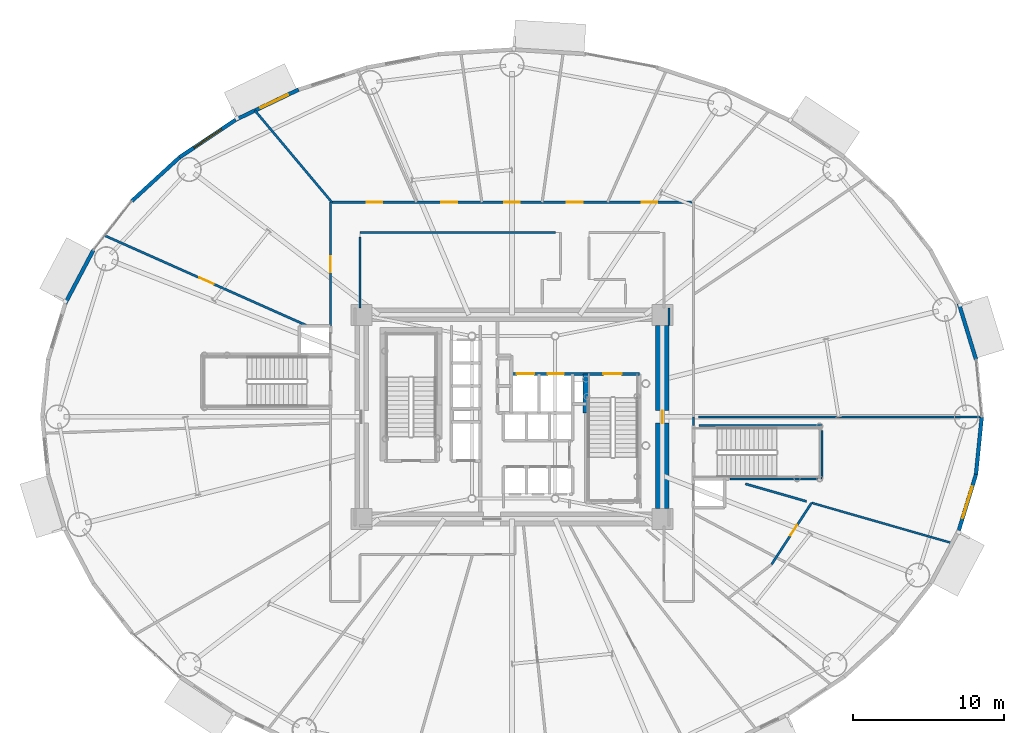
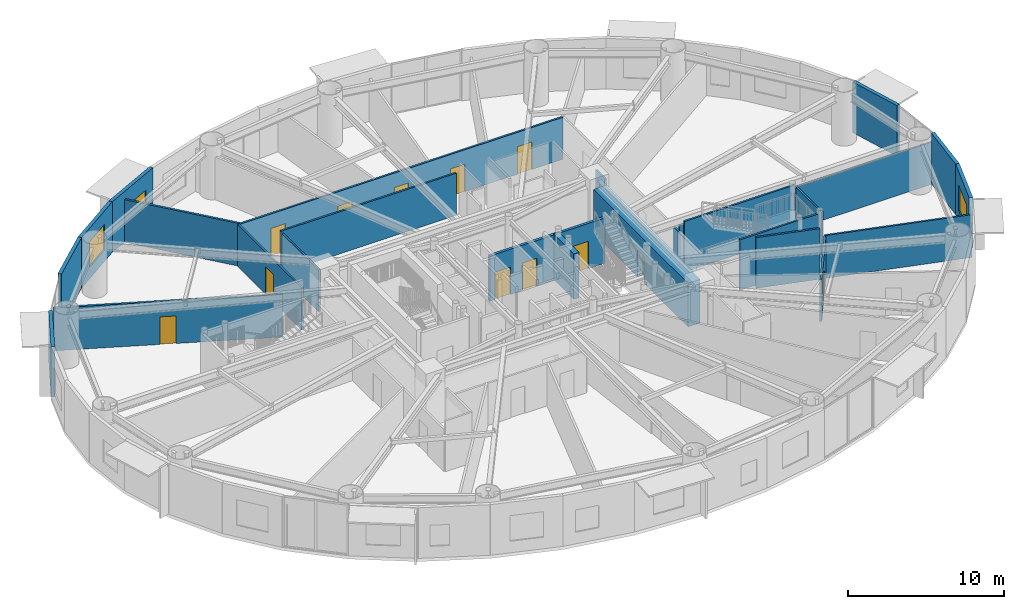
# One storey, part 19 of 32: 25 walls, 12 doors, 3 windows, 15 openings.
"""IFC4 building model written with IfcOpenShell, lengths in metres."""

from ifc_helpers import new_model, si_unit, direction, frame, frame_2d, origin, origin_2d, place, context, subcontext, project, spatial, rectangle, extrude, source, transform, mapped, material, layer, layer_set, type_object, element, fill, save


model = new_model("IFC4")

# Units and contexts
model_context = context("Model", 3, precision=1e-05, world=origin(), true_north=direction((0.0, 1.0)))
body_context = subcontext(model_context, "Body", "Model", "MODEL_VIEW")
ifc_project = project(units=[si_unit("LENGTHUNIT", "METRE"), si_unit("AREAUNIT", "SQUARE_METRE"), si_unit("VOLUMEUNIT", "CUBIC_METRE"), si_unit("PLANEANGLEUNIT", "RADIAN"), si_unit("MASSUNIT", "GRAM", prefix="KILO")], contexts=[model_context])

# Site, building, storey
site_placement = place(None, origin())
site = spatial("IfcSite", under=ifc_project, at=site_placement, CompositionType="ELEMENT")
building_placement = place(site_placement, origin())
building = spatial("IfcBuilding", under=site, at=building_placement, Name="Linh Dai School and Residence Tower", CompositionType="ELEMENT")
storey_placement = place(building_placement, frame((0.0, 0.0, 53.39990234375)))
storey = spatial("IfcBuildingStorey", under=building, at=storey_placement, Name="L12", CompositionType="ELEMENT", Elevation=53.39990234375)

# Wall
ifc_material_1 = material(Name="Precast Concrete B45 (C35/45)", Category="concrete")
ifc_layer_1 = layer(ifc_material_1, 0.25)
ifc_layer_set_1 = layer_set([ifc_layer_1], Name="Precast Concrete B45 (C35/45)")
wall_type_1 = type_object("IfcWallType", Name="EW-TC-250", PredefinedType="SOLIDWALL", material=ifc_layer_set_1)
wall_1_placement = place(storey_placement, frame((65.5576171875, 34.50146484375, 0.0), z_axis=(0.0, 0.0, 1.0), x_axis=(0.293111631758, -0.956078224482, 0.0)))
element("IfcWall", 1, at=wall_1_placement, inside=storey, type_object=wall_type_1, Name="L12 Terracotta Exterior Wall 02", PredefinedType="SOLIDWALL", context=body_context, shape_type="SweptSolid", body=[
    extrude(rectangle(XDim=3.874755859375, YDim=0.25, at=frame_2d((1.9375, 0.0))), origin(), (0.0, 0.0, 1.0), 3.9501953125),
])

# Wall, opening, window
wall_2_placement = place(storey_placement, frame((17.722900390625, 46.65576171875, 0.0), z_axis=(0.0, 0.0, 1.0), x_axis=(0.901601503137, 0.432567601123, 0.0)))
wall_2 = element("IfcWall", 2, at=wall_2_placement, inside=storey, type_object=wall_type_1, Name="L12 Terracotta Exterior Wall 14", PredefinedType="SOLIDWALL", context=body_context, shape_type="SweptSolid", body=[
    extrude(rectangle(XDim=4.61279296875, YDim=0.25, at=frame_2d((2.306396484375, 0.0))), origin(), (0.0, 0.0, 1.0), 3.9501953125),
])
opening_1_placement = place(wall_2_placement, frame((1.83349609375, 0.0, 0.89990234375)))
opening_1 = element("IfcOpeningElement", 3, at=opening_1_placement, cuts=wall_2, Name="Opening W1", PredefinedType="OPENING", context=body_context, shape_type="SweptSolid", body=[
    extrude(rectangle(XDim=2.0, YDim=1.75, at=origin_2d()), frame((1.0, 0.135009765625, 0.875), z_axis=(0.0, -1.0, 0.0), x_axis=(1.0, 0.0, 0.0)), (0.0, 0.0, 1.0), 0.27001953125),
])
ifc_material_2 = material(Name="Double Low-E Insulated Glazing", Category="glass")
window_type_1 = type_object("IfcWindowType", Name="WN-RES-2000x1750", PartitioningType="DOUBLE_PANEL_VERTICAL", PredefinedType="WINDOW", material=ifc_material_2)
shared_shape_1 = source(origin(), body_context, "Body", "SweptSolid", [
    extrude(rectangle(XDim=2.0, YDim=1.75, at=origin_2d()), frame((1.0, 0.030029296875, 0.875), z_axis=(0.0, -1.0, 0.0), x_axis=(1.0, 0.0, 0.0)), (0.0, 0.0, 1.0), 0.06005859375),
])
window_1_placement = place(opening_1_placement, origin())
window_1 = element("IfcWindow", 4, at=window_1_placement, inside=storey, type_object=window_type_1, Name="L12 Exterior Window 14.1", OverallHeight=1.75, OverallWidth=2.0, PartitioningType="DOUBLE_PANEL_VERTICAL", PredefinedType="WINDOW", context=body_context, shape_type="MappedRepresentation", body=[
    mapped(shared_shape_1, transform((0.0, 0.0, 0.0), x_axis=(1.0, 0.0, 0.0), y_axis=(0.0, 1.0, 0.0), z_axis=(0.0, 0.0, 1.0), scale=1.0)),
])
fill(opening_1, window_1)

wall_3_placement = place(storey_placement, frame((14.015380859375, 44.17626953125, 0.0), z_axis=(0.0, 0.0, 1.0), x_axis=(0.831240982525, 0.555912249343, 0.0)))
wall_3 = element("IfcWall", 5, at=wall_3_placement, inside=storey, type_object=wall_type_1, Name="L12 Terracotta Exterior Wall 15", PredefinedType="SOLIDWALL", context=body_context, shape_type="SweptSolid", body=[
    extrude(rectangle(XDim=4.460205078125, YDim=0.25, at=frame_2d((2.22998046875, 0.0))), origin(), (0.0, 0.0, 1.0), 3.9501953125),
])
opening_2_placement = place(wall_3_placement, frame((1.13037109375, 0.0, 0.89990234375)))
opening_2 = element("IfcOpeningElement", 6, at=opening_2_placement, cuts=wall_3, Name="Opening W4", PredefinedType="OPENING", context=body_context, shape_type="SweptSolid", body=[
    extrude(rectangle(XDim=2.199951171875, YDim=2.0, at=origin_2d()), frame((1.10009765625, 0.135009765625, 1.0), z_axis=(0.0, -1.0, 0.0), x_axis=(1.0, 0.0, 0.0)), (0.0, 0.0, 1.0), 0.27001953125),
])
ifc_material_3 = material(Name="Acoustic Laminated Low-E Glazing", Category="glass")
window_type_2 = type_object("IfcWindowType", Name="WN-SCH-2200x2000", PartitioningType="TRIPLE_PANEL_VERTICAL", PredefinedType="WINDOW", material=ifc_material_3)
shared_shape_2 = source(origin(), body_context, "Body", "SweptSolid", [
    extrude(rectangle(XDim=2.199951171875, YDim=2.0, at=origin_2d()), frame((1.10009765625, 0.030029296875, 1.0), z_axis=(0.0, -1.0, 0.0), x_axis=(1.0, 0.0, 0.0)), (0.0, 0.0, 1.0), 0.06005859375),
])
window_2_placement = place(opening_2_placement, origin())
window_2 = element("IfcWindow", 7, at=window_2_placement, inside=storey, type_object=window_type_2, Name="L12 Exterior Window 15.1", OverallHeight=2.0, OverallWidth=2.199951171875, PartitioningType="TRIPLE_PANEL_VERTICAL", PredefinedType="WINDOW", context=body_context, shape_type="MappedRepresentation", body=[
    mapped(shared_shape_2, transform((0.0, 0.0, 0.0), x_axis=(1.0, 0.0, 0.0), y_axis=(0.0, 1.0, 0.0), z_axis=(0.0, 0.0, 1.0), scale=1.0)),
])
fill(opening_2, window_2)

# Walls
wall_4_placement = place(storey_placement, frame((10.850341796875, 41.274658203125, 0.0), z_axis=(0.0, 0.0, 1.0), x_axis=(0.737116376281, 0.67576582321, 0.0)))
element("IfcWall", 8, at=wall_4_placement, inside=storey, type_object=wall_type_1, Name="L12 Terracotta Exterior Wall 16", PredefinedType="SOLIDWALL", context=body_context, shape_type="SweptSolid", body=[
    extrude(rectangle(XDim=4.293701171875, YDim=0.25, at=frame_2d((2.14697265625, 0.0))), origin(), (0.0, 0.0, 1.0), 3.9501953125),
])
wall_5_placement = place(storey_placement, frame((6.4423828125, 34.50146484375, 0.0), z_axis=(0.0, 0.0, 1.0), x_axis=(0.467662443071, 0.883907144072, 0.0)))
element("IfcWall", 9, at=wall_5_placement, inside=storey, type_object=wall_type_1, Name="L12 Terracotta Exterior Wall 18", PredefinedType="SOLIDWALL", context=body_context, shape_type="SweptSolid", body=[
    extrude(rectangle(XDim=3.983642578125, YDim=0.25, at=frame_2d((1.99169921875, 0.0))), origin(), (0.0, 0.0, 1.0), 3.9501953125),
])

# Wall, opening, window
wall_6_placement = place(storey_placement, frame((66.693359375, 23.203125, 0.0), z_axis=(0.0, 0.0, 1.0), x_axis=(-0.293111631758, -0.956078224482, 0.0)))
wall_6 = element("IfcWall", 10, at=wall_6_placement, inside=storey, type_object=wall_type_1, Name="L12 Terracotta Exterior Wall 39", PredefinedType="SOLIDWALL", context=body_context, shape_type="SweptSolid", body=[
    extrude(rectangle(XDim=3.874755859375, YDim=0.25, at=frame_2d((1.9375, 0.0))), origin(), (0.0, 0.0, 1.0), 3.9501953125),
])
opening_3_placement = place(wall_6_placement, frame((0.83740234375, 0.0, 0.89990234375)))
opening_3 = element("IfcOpeningElement", 11, at=opening_3_placement, cuts=wall_6, Name="Opening W4", PredefinedType="OPENING", context=body_context, shape_type="SweptSolid", body=[
    extrude(rectangle(XDim=2.199951171875, YDim=2.0, at=origin_2d()), frame((1.10009765625, 0.135009765625, 1.0), z_axis=(0.0, -1.0, 0.0), x_axis=(1.0, 0.0, 0.0)), (0.0, 0.0, 1.0), 0.27001953125),
])
window_3_placement = place(opening_3_placement, origin())
window_3 = element("IfcWindow", 12, at=window_3_placement, inside=storey, type_object=window_type_2, Name="L12 Exterior Window 39.1", OverallHeight=2.0, OverallWidth=2.199951171875, PartitioningType="TRIPLE_PANEL_VERTICAL", PredefinedType="WINDOW", context=body_context, shape_type="MappedRepresentation", body=[
    mapped(shared_shape_2, transform((0.0, 0.0, 0.0), x_axis=(1.0, 0.0, 0.0), y_axis=(0.0, 1.0, 0.0), z_axis=(0.0, 0.0, 1.0), scale=1.0)),
])
fill(opening_3, window_3)

# Wall
wall_7_placement = place(storey_placement, frame((67.074951171875, 27.0, 0.0), z_axis=(0.0, 0.0, 1.0), x_axis=(-0.099997795174, -0.994987658698, 0.0)))
element("IfcWall", 13, at=wall_7_placement, inside=storey, type_object=wall_type_1, Name="L12 Terracotta Exterior Wall 40", PredefinedType="SOLIDWALL", context=body_context, shape_type="SweptSolid", body=[
    extrude(rectangle(XDim=3.81591796875, YDim=0.25, at=frame_2d((1.907958984375, 0.0))), origin(), (0.0, 0.0, 1.0), 3.9501953125),
])

# Wall, opening, door
ifc_material_4 = material(Name="Autoclaved Aerated Concrete Blockwork", Category="masonry")
ifc_layer_2 = layer(ifc_material_4, 0.135009765625)
ifc_layer_set_2 = layer_set([ifc_layer_2], Name="Autoclaved Aerated Concrete Blockwork")
wall_type_2 = type_object("IfcWallType", Name="IW-CORR-135-EI90", PredefinedType="PARTITIONING", material=ifc_layer_set_2)
wall_8_placement = place(storey_placement, frame((24.0, 33.010009765625, 0.0), z_axis=(0.0, 0.0, 1.0), x_axis=(0.0, 1.0, 0.0)))
wall_8 = element("IfcWall", 14, at=wall_8_placement, inside=storey, type_object=wall_type_2, Name="L12 Interior Partition Wall 014", PredefinedType="PARTITIONING", context=body_context, shape_type="SweptSolid", body=[
    extrude(rectangle(XDim=8.18994140625, YDim=0.135009765625, at=frame_2d((4.094970703125, 0.0))), origin(), (0.0, 0.0, 1.0), 3.28515625),
])
opening_4_placement = place(wall_8_placement, frame((3.570068359375, 0.0, 0.0)))
opening_4 = element("IfcOpeningElement", 15, at=opening_4_placement, cuts=wall_8, Name="Opening D04", PredefinedType="OPENING", context=body_context, shape_type="SweptSolid", body=[
    extrude(rectangle(XDim=1.050048828125, YDim=2.14990234375, at=origin_2d()), frame((0.52490234375, 0.07763671875, 1.074951171875), z_axis=(0.0, -1.0, 0.0), x_axis=(1.0, 0.0, 0.0)), (0.0, 0.0, 1.0), 0.155029296875),
])
ifc_material_5 = material(Name="Acoustic Vision-Panel Timber Classroom Door", Category="wood")
door_type_1 = type_object("IfcDoorType", Name="DR-SCH-1050x2150-FD60S", OperationType="NOTDEFINED", PredefinedType="DOOR", material=ifc_material_5)
shared_shape_3 = source(origin(), body_context, "Body", "SweptSolid", [
    extrude(rectangle(XDim=1.050048828125, YDim=2.14990234375, at=origin_2d()), frame((0.52490234375, 0.02490234375, 1.074951171875), z_axis=(0.0, -1.0, 0.0), x_axis=(1.0, 0.0, 0.0)), (0.0, 0.0, 1.0), 0.050048828125),
])
door_1_placement = place(opening_4_placement, origin())
door_1 = element("IfcDoor", 16, at=door_1_placement, inside=storey, type_object=door_type_1, Name="L12 Computer Science Lab 1 Door", OperationType="SINGLE_SWING_RIGHT", OverallHeight=2.14990234375, OverallWidth=1.050048828125, PredefinedType="DOOR", context=body_context, shape_type="MappedRepresentation", body=[
    mapped(shared_shape_3, transform((0.0, 0.0, 0.0), x_axis=(1.0, 0.0, 0.0), y_axis=(0.0, 1.0, 0.0), z_axis=(0.0, 0.0, 1.0), scale=1.0)),
])
fill(opening_4, door_1)

# Wall, openings, doors
wall_9_placement = place(storey_placement, frame((24.084716796875, 41.199951171875, 0.0), z_axis=(0.0, 0.0, 1.0), x_axis=(1.0, 0.0, 0.0)))
wall_9 = element("IfcWall", 17, at=wall_9_placement, inside=storey, type_object=wall_type_2, Name="L12 Interior Partition Wall 015", PredefinedType="PARTITIONING", context=body_context, shape_type="SweptSolid", body=[
    extrude(rectangle(XDim=23.83056640625, YDim=0.135009765625, at=frame_2d((11.915283203125, 0.0))), origin(), (0.0, 0.0, 1.0), 3.28515625),
])
opening_5_placement = place(wall_9_placement, frame((20.489013671875, 0.0, 0.0)))
opening_5 = element("IfcOpeningElement", 18, at=opening_5_placement, cuts=wall_9, Name="Opening D04", PredefinedType="OPENING", context=body_context, shape_type="SweptSolid", body=[
    extrude(rectangle(XDim=1.050048828125, YDim=2.14990234375, at=origin_2d()), frame((0.52490234375, 0.07763671875, 1.074951171875), z_axis=(0.0, -1.0, 0.0), x_axis=(1.0, 0.0, 0.0)), (0.0, 0.0, 1.0), 0.155029296875),
])
opening_6_placement = place(wall_9_placement, frame((15.54931640625, 0.0, 0.0)))
opening_6 = element("IfcOpeningElement", 19, at=opening_6_placement, cuts=wall_9, Name="Opening D04", PredefinedType="OPENING", context=body_context, shape_type="SweptSolid", body=[
    extrude(rectangle(XDim=1.050048828125, YDim=2.14990234375, at=origin_2d()), frame((0.52490234375, 0.07763671875, 1.074951171875), z_axis=(0.0, -1.0, 0.0), x_axis=(1.0, 0.0, 0.0)), (0.0, 0.0, 1.0), 0.155029296875),
])
opening_7_placement = place(wall_9_placement, frame((11.39013671875, 0.0, 0.0)))
opening_7 = element("IfcOpeningElement", 20, at=opening_7_placement, cuts=wall_9, Name="Opening D04", PredefinedType="OPENING", context=body_context, shape_type="SweptSolid", body=[
    extrude(rectangle(XDim=1.050048828125, YDim=2.14990234375, at=origin_2d()), frame((0.52490234375, 0.07763671875, 1.074951171875), z_axis=(0.0, -1.0, 0.0), x_axis=(1.0, 0.0, 0.0)), (0.0, 0.0, 1.0), 0.155029296875),
])
opening_8_placement = place(wall_9_placement, frame((7.231201171875, 0.0, 0.0)))
opening_8 = element("IfcOpeningElement", 21, at=opening_8_placement, cuts=wall_9, Name="Opening D04", PredefinedType="OPENING", context=body_context, shape_type="SweptSolid", body=[
    extrude(rectangle(XDim=1.050048828125, YDim=2.14990234375, at=origin_2d()), frame((0.52490234375, 0.07763671875, 1.074951171875), z_axis=(0.0, -1.0, 0.0), x_axis=(1.0, 0.0, 0.0)), (0.0, 0.0, 1.0), 0.155029296875),
])
opening_9_placement = place(wall_9_placement, frame((2.29150390625, 0.0, 0.0)))
opening_9 = element("IfcOpeningElement", 22, at=opening_9_placement, cuts=wall_9, Name="Opening D04", PredefinedType="OPENING", context=body_context, shape_type="SweptSolid", body=[
    extrude(rectangle(XDim=1.050048828125, YDim=2.14990234375, at=origin_2d()), frame((0.52490234375, 0.07763671875, 1.074951171875), z_axis=(0.0, -1.0, 0.0), x_axis=(1.0, 0.0, 0.0)), (0.0, 0.0, 1.0), 0.155029296875),
])
door_2_placement = place(opening_5_placement, origin())
door_2 = element("IfcDoor", 23, at=door_2_placement, inside=storey, type_object=door_type_1, Name="L12 Sixth-Form Seminar Room 2 Door", OperationType="SINGLE_SWING_LEFT", OverallHeight=2.14990234375, OverallWidth=1.050048828125, PredefinedType="DOOR", context=body_context, shape_type="MappedRepresentation", body=[
    mapped(shared_shape_3, transform((0.0, 0.0, 0.0), x_axis=(1.0, 0.0, 0.0), y_axis=(0.0, 1.0, 0.0), z_axis=(0.0, 0.0, 1.0), scale=1.0)),
])
fill(opening_5, door_2)
door_3_placement = place(opening_6_placement, origin())
door_3 = element("IfcDoor", 24, at=door_3_placement, inside=storey, type_object=door_type_1, Name="L12 Sixth-Form Seminar Room 3 Door", OperationType="SINGLE_SWING_RIGHT", OverallHeight=2.14990234375, OverallWidth=1.050048828125, PredefinedType="DOOR", context=body_context, shape_type="MappedRepresentation", body=[
    mapped(shared_shape_3, transform((0.0, 0.0, 0.0), x_axis=(1.0, 0.0, 0.0), y_axis=(0.0, 1.0, 0.0), z_axis=(0.0, 0.0, 1.0), scale=1.0)),
])
fill(opening_6, door_3)
door_4_placement = place(opening_7_placement, origin())
door_4 = element("IfcDoor", 25, at=door_4_placement, inside=storey, type_object=door_type_1, Name="L12 Sixth-Form Seminar Room 4 Door", OperationType="SINGLE_SWING_LEFT", OverallHeight=2.14990234375, OverallWidth=1.050048828125, PredefinedType="DOOR", context=body_context, shape_type="MappedRepresentation", body=[
    mapped(shared_shape_3, transform((0.0, 0.0, 0.0), x_axis=(1.0, 0.0, 0.0), y_axis=(0.0, 1.0, 0.0), z_axis=(0.0, 0.0, 1.0), scale=1.0)),
])
fill(opening_7, door_4)
door_5_placement = place(opening_8_placement, origin())
door_5 = element("IfcDoor", 26, at=door_5_placement, inside=storey, type_object=door_type_1, Name="L12 Sixth-Form Seminar Room 5 Door", OperationType="SINGLE_SWING_RIGHT", OverallHeight=2.14990234375, OverallWidth=1.050048828125, PredefinedType="DOOR", context=body_context, shape_type="MappedRepresentation", body=[
    mapped(shared_shape_3, transform((0.0, 0.0, 0.0), x_axis=(1.0, 0.0, 0.0), y_axis=(0.0, 1.0, 0.0), z_axis=(0.0, 0.0, 1.0), scale=1.0)),
])
fill(opening_8, door_5)
door_6_placement = place(opening_9_placement, origin())
door_6 = element("IfcDoor", 27, at=door_6_placement, inside=storey, type_object=door_type_1, Name="L12 Sixth-Form Seminar Room 6 Door", OperationType="SINGLE_SWING_LEFT", OverallHeight=2.14990234375, OverallWidth=1.050048828125, PredefinedType="DOOR", context=body_context, shape_type="MappedRepresentation", body=[
    mapped(shared_shape_3, transform((0.0, 0.0, 0.0), x_axis=(1.0, 0.0, 0.0), y_axis=(0.0, 1.0, 0.0), z_axis=(0.0, 0.0, 1.0), scale=1.0)),
])
fill(opening_9, door_6)

# Walls
wall_10_placement = place(storey_placement, frame((48.360107421875, 26.419921875, 0.0), z_axis=(0.0, 0.0, 1.0), x_axis=(1.0, 0.0, 0.0)))
element("IfcWall", 28, at=wall_10_placement, inside=storey, type_object=wall_type_2, Name="L12 Interior Partition Wall 085", PredefinedType="PARTITIONING", context=body_context, shape_type="SweptSolid", body=[
    extrude(rectangle(XDim=8.159912109375, YDim=0.135009765625, at=frame_2d((4.080078125, 0.0))), origin(), (0.0, 0.0, 1.0), 3.9501953125),
])
wall_11_placement = place(storey_placement, frame((56.52001953125, 26.112548828125, 0.0), z_axis=(0.0, 0.0, 1.0), x_axis=(0.0, -1.0, 0.0)))
element("IfcWall", 29, at=wall_11_placement, inside=storey, type_object=wall_type_2, Name="L12 Interior Partition Wall 086", PredefinedType="PARTITIONING", context=body_context, shape_type="SweptSolid", body=[
    extrude(rectangle(XDim=3.232666015625, YDim=0.135009765625, at=frame_2d((1.6162109375, 0.0))), origin(), (0.0, 0.0, 1.0), 3.9501953125),
])
wall_12_placement = place(storey_placement, frame((56.21240234375, 22.8798828125, 0.0), z_axis=(0.0, 0.0, 1.0), x_axis=(-1.0, 0.0, 0.0)))
element("IfcWall", 30, at=wall_12_placement, inside=storey, type_object=wall_type_2, Name="L12 Interior Partition Wall 087", PredefinedType="PARTITIONING", context=body_context, shape_type="SweptSolid", body=[
    extrude(rectangle(XDim=5.802490234375, YDim=0.135009765625, at=frame_2d((2.9013671875, 0.0))), origin(), (0.0, 0.0, 1.0), 3.9501953125),
])
wall_13_placement = place(storey_placement, frame((48.0, 26.989990234375, 0.0), z_axis=(0.0, 0.0, 1.0), x_axis=(0.0, -1.0, 0.0)))
element("IfcWall", 31, at=wall_13_placement, inside=storey, type_object=wall_type_2, Name="L12 Interior Partition Wall 088", PredefinedType="PARTITIONING", context=body_context, shape_type="SweptSolid", body=[
    extrude(rectangle(XDim=0.56005859375, YDim=0.135009765625, at=frame_2d((0.280029296875, 0.0))), origin(), (0.0, 0.0, 1.0), 3.28515625),
])
wall_14_placement = place(storey_placement, frame((46.39990234375, 33.06005859375, 0.0), z_axis=(0.0, 0.0, 1.0), x_axis=(0.0, 1.0, 0.0)))
element("IfcWall", 32, at=wall_14_placement, inside=storey, type_object=wall_type_2, Name="L12 Interior Partition Wall 091", PredefinedType="PARTITIONING", context=body_context, shape_type="SweptSolid", body=[
    extrude(rectangle(XDim=1.139892578125, YDim=0.135009765625, at=frame_2d((0.56982421875, 0.0))), origin(), (0.0, 0.0, 1.0), 3.9501953125),
])
wall_15_placement = place(storey_placement, frame((38.892578125, 39.199951171875, 0.0), z_axis=(0.0, 0.0, 1.0), x_axis=(-1.0, 0.0, 0.0)))
element("IfcWall", 33, at=wall_15_placement, inside=storey, type_object=wall_type_2, Name="L12 Interior Partition Wall 100", PredefinedType="PARTITIONING", context=body_context, shape_type="SweptSolid", body=[
    extrude(rectangle(XDim=12.942626953125, YDim=0.135009765625, at=frame_2d((6.47119140625, 0.0))), origin(), (0.0, 0.0, 1.0), 3.28515625),
])
wall_16_placement = place(storey_placement, frame((25.949951171875, 38.892578125, 0.0), z_axis=(0.0, 0.0, 1.0), x_axis=(0.0, -1.0, 0.0)))
element("IfcWall", 34, at=wall_16_placement, inside=storey, type_object=wall_type_2, Name="L12 Interior Partition Wall 101", PredefinedType="PARTITIONING", context=body_context, shape_type="SweptSolid", body=[
    extrude(rectangle(XDim=4.692626953125, YDim=0.135009765625, at=frame_2d((2.34619140625, 0.0))), origin(), (0.0, 0.0, 1.0), 3.28515625),
])
wall_17_placement = place(storey_placement, frame((67.080078125, 27.0, 0.0), z_axis=(0.0, 0.0, 1.0), x_axis=(-1.0, 0.0, 0.0)))
element("IfcWall", 35, at=wall_17_placement, inside=storey, type_object=wall_type_2, Name="L12 Interior Partition Wall 105", PredefinedType="PARTITIONING", context=body_context, shape_type="SweptSolid", body=[
    extrude(rectangle(XDim=18.752685546875, YDim=0.135009765625, at=frame_2d((9.37646484375, 0.0))), origin(), (0.0, 0.0, 1.0), 3.28515625),
])
wall_18_placement = place(storey_placement, frame((55.820068359375, 21.316650390625, 0.0), z_axis=(0.0, 0.0, 1.0), x_axis=(0.961261497428, -0.275638048104, 0.0)))
element("IfcWall", 36, at=wall_18_placement, inside=storey, type_object=wall_type_2, Name="L12 Interior Partition Wall 108", PredefinedType="PARTITIONING", context=body_context, shape_type="SweptSolid", body=[
    extrude(rectangle(XDim=9.66943359375, YDim=0.135009765625, at=frame_2d((4.834716796875, 0.0))), origin(), (0.0, 0.0, 1.0), 3.335205078125),
])

# Wall, opening, door
ifc_layer_3 = layer(ifc_material_4, 0.14990234375)
ifc_layer_set_3 = layer_set([ifc_layer_3], Name="Autoclaved Aerated Concrete Blockwork")
wall_type_3 = type_object("IfcWallType", Name="IW-SCH-150-EI60", PredefinedType="PARTITIONING", material=ifc_layer_set_3)
wall_19_placement = place(storey_placement, frame((9.0595703125, 38.99462890625, 0.0), z_axis=(0.0, 0.0, 1.0), x_axis=(0.913544945328, -0.406737793751, 0.0)))
wall_19 = element("IfcWall", 37, at=wall_19_placement, inside=storey, type_object=wall_type_3, Name="L12 Interior Partition Wall 002", PredefinedType="PARTITIONING", context=body_context, shape_type="SweptSolid", body=[
    extrude(rectangle(XDim=14.73828125, YDim=0.14990234375, at=frame_2d((7.369140625, 0.0))), origin(), (0.0, 0.0, 1.0), 3.335205078125),
])
opening_10_placement = place(wall_19_placement, frame((6.84423828125, 0.0, 0.0)))
opening_10 = element("IfcOpeningElement", 38, at=opening_10_placement, cuts=wall_19, Name="Opening D04", PredefinedType="OPENING", context=body_context, shape_type="SweptSolid", body=[
    extrude(rectangle(XDim=1.050048828125, YDim=2.14990234375, at=origin_2d()), frame((0.52490234375, 0.0849609375, 1.074951171875), z_axis=(0.0, -1.0, 0.0), x_axis=(1.0, 0.0, 0.0)), (0.0, 0.0, 1.0), 0.169921875),
])
door_7_placement = place(opening_10_placement, origin())
door_7 = element("IfcDoor", 39, at=door_7_placement, inside=storey, type_object=door_type_1, Name="L12 Computer Science Lab 2 Door", OperationType="SINGLE_SWING_LEFT", OverallHeight=2.14990234375, OverallWidth=1.050048828125, PredefinedType="DOOR", context=body_context, shape_type="MappedRepresentation", body=[
    mapped(shared_shape_3, transform((0.0, 0.0, 0.0), x_axis=(1.0, 0.0, 0.0), y_axis=(0.0, 1.0, 0.0), z_axis=(0.0, 0.0, 1.0), scale=1.0)),
])
fill(opening_10, door_7)

# Wall
wall_20_placement = place(storey_placement, frame((18.991455078125, 47.269775390625, 0.0), z_axis=(0.0, 0.0, 1.0), x_axis=(0.642793123836, -0.766039816164, 0.0)))
element("IfcWall", 40, at=wall_20_placement, inside=storey, type_object=wall_type_3, Name="L12 Interior Partition Wall 007", PredefinedType="PARTITIONING", context=body_context, shape_type="SweptSolid", body=[
    extrude(rectangle(XDim=7.923583984375, YDim=0.14990234375, at=frame_2d((3.9619140625, 0.0))), origin(), (0.0, 0.0, 1.0), 3.335205078125),
])

# Wall, opening, door
wall_21_placement = place(storey_placement, frame((53.1640625, 17.235595703125, 0.0), z_axis=(0.0, 0.0, 1.0), x_axis=(0.545409482698, 0.838169729937, 0.0)))
wall_21 = element("IfcWall", 41, at=wall_21_placement, inside=storey, type_object=wall_type_3, Name="L12 Interior Partition Wall 074", PredefinedType="PARTITIONING", context=body_context, shape_type="SweptSolid", body=[
    extrude(rectangle(XDim=4.869384765625, YDim=0.14990234375, at=frame_2d((2.4345703125, 0.0))), origin(), (0.0, 0.0, 1.0), 3.28515625),
])
opening_11_placement = place(wall_21_placement, frame((2.28759765625, 0.0, 0.0)))
opening_11 = element("IfcOpeningElement", 42, at=opening_11_placement, cuts=wall_21, Name="Opening D06", PredefinedType="OPENING", context=body_context, shape_type="SweptSolid", body=[
    extrude(rectangle(XDim=0.820068359375, YDim=2.10009765625, at=origin_2d()), frame((0.41015625, 0.0849609375, 1.050048828125), z_axis=(0.0, -1.0, 0.0), x_axis=(1.0, 0.0, 0.0)), (0.0, 0.0, 1.0), 0.169921875),
])
ifc_material_6 = material(Name="Moisture-Resistant Timber Bathroom Door", Category="wood")
door_type_2 = type_object("IfcDoorType", Name="DR-WET-820x2100", OperationType="NOTDEFINED", PredefinedType="DOOR", material=ifc_material_6)
shared_shape_4 = source(origin(), body_context, "Body", "SweptSolid", [
    extrude(rectangle(XDim=0.820068359375, YDim=2.10009765625, at=origin_2d()), frame((0.41015625, 0.02490234375, 1.050048828125), z_axis=(0.0, -1.0, 0.0), x_axis=(1.0, 0.0, 0.0)), (0.0, 0.0, 1.0), 0.050048828125),
])
door_8_placement = place(opening_11_placement, origin())
door_8 = element("IfcDoor", 43, at=door_8_placement, inside=storey, type_object=door_type_2, Name="L12 Sixth-Form Female WC Door", OperationType="SINGLE_SWING_RIGHT", OverallHeight=2.10009765625, OverallWidth=0.820068359375, PredefinedType="DOOR", context=body_context, shape_type="MappedRepresentation", body=[
    mapped(shared_shape_4, transform((0.0, 0.0, 0.0), x_axis=(1.0, 0.0, 0.0), y_axis=(0.0, 1.0, 0.0), z_axis=(0.0, 0.0, 1.0), scale=1.0)),
])
fill(opening_11, door_8)

# Wall
wall_22_placement = place(storey_placement, frame((51.4404296875, 22.572509765625, 0.0), z_axis=(0.0, 0.0, 1.0), x_axis=(0.961265031159, -0.275625724255, 0.0)))
element("IfcWall", 44, at=wall_22_placement, inside=storey, type_object=wall_type_3, Name="L12 Interior Partition Wall 107", PredefinedType="PARTITIONING", context=body_context, shape_type="SweptSolid", body=[
    extrude(rectangle(XDim=4.20556640625, YDim=0.14990234375, at=frame_2d((2.102783203125, 0.0))), origin(), (0.0, 0.0, 1.0), 3.9501953125),
])

# Wall, openings, doors
ifc_material_7 = material(Name="Concrete B45 (C35/45)", Category="concrete")
ifc_layer_4 = layer(ifc_material_7, 0.199951171875)
ifc_layer_set_4 = layer_set([ifc_layer_4], Name="Concrete B45 (C35/45)")
wall_type_4 = type_object("IfcWallType", Name="IW-SHAFT-200-EI120", PredefinedType="PARTITIONING", material=ifc_layer_set_4)
wall_23_placement = place(storey_placement, frame((35.949951171875, 29.85009765625, 0.0), z_axis=(0.0, 0.0, 1.0), x_axis=(1.0, 0.0, 0.0)))
wall_23 = element("IfcWall", 45, at=wall_23_placement, inside=storey, type_object=wall_type_4, Name="L12 Interior Partition Wall 041", PredefinedType="PARTITIONING", context=body_context, shape_type="SweptSolid", body=[
    extrude(rectangle(XDim=8.489990234375, YDim=0.199951171875, at=frame_2d((4.2451171875, 0.0))), origin(), (0.0, 0.0, 1.0), 3.53515625),
])
opening_12_placement = place(wall_23_placement, frame((6.10009765625, 0.0, 0.0)))
opening_12 = element("IfcOpeningElement", 46, at=opening_12_placement, cuts=wall_23, Name="Opening D01", PredefinedType="OPENING", context=body_context, shape_type="SweptSolid", body=[
    extrude(rectangle(XDim=1.199951171875, YDim=2.14990234375, at=origin_2d()), frame((0.60009765625, 0.10986328125, 1.074951171875), z_axis=(0.0, -1.0, 0.0), x_axis=(1.0, 0.0, 0.0)), (0.0, 0.0, 1.0), 0.219970703125),
])
opening_13_placement = place(wall_23_placement, frame((0.3701171875, 0.0, 0.0)))
opening_13 = element("IfcOpeningElement", 47, at=opening_13_placement, cuts=wall_23, Name="Opening LD-FF1", PredefinedType="OPENING", context=body_context, shape_type="SweptSolid", body=[
    extrude(rectangle(XDim=1.14990234375, YDim=2.14990234375, at=origin_2d()), frame((0.574951171875, 0.10986328125, 1.074951171875), z_axis=(0.0, -1.0, 0.0), x_axis=(1.0, 0.0, 0.0)), (0.0, 0.0, 1.0), 0.219970703125),
])
opening_14_placement = place(wall_23_placement, frame((2.425048828125, 0.0, 0.0)))
opening_14 = element("IfcOpeningElement", 48, at=opening_14_placement, cuts=wall_23, Name="Opening LD-SV1", PredefinedType="OPENING", context=body_context, shape_type="SweptSolid", body=[
    extrude(rectangle(XDim=1.050048828125, YDim=2.14990234375, at=origin_2d()), frame((0.52490234375, 0.10986328125, 1.074951171875), z_axis=(0.0, -1.0, 0.0), x_axis=(1.0, 0.0, 0.0)), (0.0, 0.0, 1.0), 0.219970703125),
])
ifc_material_8 = material(Name="Fire-Rated Steel Door Leaf", Category="steel")
door_type_3 = type_object("IfcDoorType", Name="DR-STAIR-1200x2150-FD90S", OperationType="NOTDEFINED", PredefinedType="DOOR", material=ifc_material_8)
shared_shape_5 = source(origin(), body_context, "Body", "SweptSolid", [
    extrude(rectangle(XDim=1.199951171875, YDim=2.14990234375, at=origin_2d()), frame((0.60009765625, 0.02490234375, 1.074951171875), z_axis=(0.0, -1.0, 0.0), x_axis=(1.0, 0.0, 0.0)), (0.0, 0.0, 1.0), 0.050048828125),
])
door_9_placement = place(opening_12_placement, origin())
door_9 = element("IfcDoor", 49, at=door_9_placement, inside=storey, type_object=door_type_3, Name="L12 Core Smokeproof Exit Stair ST2 Door", OperationType="SINGLE_SWING_LEFT", OverallHeight=2.14990234375, OverallWidth=1.199951171875, PredefinedType="DOOR", context=body_context, shape_type="MappedRepresentation", body=[
    mapped(shared_shape_5, transform((0.0, 0.0, 0.0), x_axis=(1.0, 0.0, 0.0), y_axis=(0.0, 1.0, 0.0), z_axis=(0.0, 0.0, 1.0), scale=1.0)),
])
fill(opening_12, door_9)
ifc_material_9 = material(Name="Fire-Rated Stainless Steel Firefighting Lift Door", Category="steel")
door_type_4 = type_object("IfcDoorType", Name="DR-LD-FF-1150x2150-FD120", OperationType="DOUBLE_DOOR_SLIDING", PredefinedType="USERDEFINED", material=ifc_material_9)
shared_shape_6 = source(origin(), body_context, "Body", "SweptSolid", [
    extrude(rectangle(XDim=1.14990234375, YDim=2.14990234375, at=origin_2d()), frame((0.574951171875, 0.02490234375, 1.074951171875), z_axis=(0.0, -1.0, 0.0), x_axis=(1.0, 0.0, 0.0)), (0.0, 0.0, 1.0), 0.050048828125),
])
door_10_placement = place(opening_13_placement, origin())
door_10 = element("IfcDoor", 50, at=door_10_placement, inside=storey, type_object=door_type_4, Name="L12 Lift FF1 Sliding Landing Door", ObjectType="LANDING DOOR", OperationType="DOUBLE_DOOR_SLIDING", OverallHeight=2.14990234375, OverallWidth=1.14990234375, PredefinedType="USERDEFINED", context=body_context, shape_type="MappedRepresentation", body=[
    mapped(shared_shape_6, transform((0.0, 0.0, 0.0), x_axis=(1.0, 0.0, 0.0), y_axis=(0.0, 1.0, 0.0), z_axis=(0.0, 0.0, 1.0), scale=1.0)),
])
fill(opening_13, door_10)
ifc_material_10 = material(Name="Brushed Stainless Steel Lift Landing Door", Category="steel")
door_type_5 = type_object("IfcDoorType", Name="DR-LD-PASS-1050x2150", OperationType="DOUBLE_DOOR_SLIDING", PredefinedType="USERDEFINED", material=ifc_material_10)
shared_shape_7 = source(origin(), body_context, "Body", "SweptSolid", [
    extrude(rectangle(XDim=1.050048828125, YDim=2.14990234375, at=origin_2d()), frame((0.52490234375, 0.02490234375, 1.074951171875), z_axis=(0.0, -1.0, 0.0), x_axis=(1.0, 0.0, 0.0)), (0.0, 0.0, 1.0), 0.050048828125),
])
door_11_placement = place(opening_14_placement, origin())
door_11 = element("IfcDoor", 51, at=door_11_placement, inside=storey, type_object=door_type_5, Name="L12 Lift SV1 Sliding Landing Door", ObjectType="LANDING DOOR", OperationType="DOUBLE_DOOR_SLIDING", OverallHeight=2.14990234375, OverallWidth=1.050048828125, PredefinedType="USERDEFINED", context=body_context, shape_type="MappedRepresentation", body=[
    mapped(shared_shape_7, transform((0.0, 0.0, 0.0), x_axis=(1.0, 0.0, 0.0), y_axis=(0.0, 1.0, 0.0), z_axis=(0.0, 0.0, 1.0), scale=1.0)),
])
fill(opening_14, door_11)

# Wall
ifc_layer_5 = layer(ifc_material_7, 0.39990234375)
ifc_layer_set_5 = layer_set([ifc_layer_5], Name="Concrete B45 (C35/45)")
wall_type_5 = type_object("IfcWallType", Name="WL-CORE400", PredefinedType="SHEAR", material=ifc_layer_set_5)
wall_24_placement = place(storey_placement, frame((40.89990234375, 27.25, 0.0), z_axis=(0.0, 0.0, 1.0), x_axis=(0.0, 1.0, 0.0)))
element("IfcWall", 52, at=wall_24_placement, inside=storey, type_object=wall_type_5, Name="L12 Internal Core Shear Wall IE", PredefinedType="SHEAR", context=body_context, shape_type="SweptSolid", body=[
    extrude(rectangle(XDim=2.60009765625, YDim=0.39990234375, at=frame_2d((1.300048828125, 0.0))), origin(), (0.0, 0.0, 1.0), 3.550048828125),
])

# Wall, opening, door
ifc_material_11 = material(Name="Concrete B60 (C50/60)", Category="concrete")
ifc_layer_6 = layer(ifc_material_11, 0.89990234375)
ifc_layer_set_6 = layer_set([ifc_layer_6], Name="Concrete B60 (C50/60)")
wall_type_6 = type_object("IfcWallType", Name="WL-CORE900", PredefinedType="SHEAR", material=ifc_layer_set_6)
wall_25_placement = place(storey_placement, frame((45.949951171875, 33.050048828125, 0.0), z_axis=(0.0, 0.0, 1.0), x_axis=(0.0, -1.0, 0.0)))
wall_25 = element("IfcWall", 53, at=wall_25_placement, inside=storey, type_object=wall_type_6, Name="L12 Central Core Shear Wall E", PredefinedType="SHEAR", context=body_context, shape_type="SweptSolid", body=[
    extrude(rectangle(XDim=12.10009765625, YDim=0.89990234375, at=frame_2d((6.050048828125, 0.0))), origin(), (0.0, 0.0, 1.0), 3.400146484375),
])
opening_15_placement = place(wall_25_placement, frame((5.639892578125, 0.0, 0.0)))
opening_15 = element("IfcOpeningElement", 54, at=opening_15_placement, cuts=wall_25, Name="Opening D06", PredefinedType="OPENING", context=body_context, shape_type="SweptSolid", body=[
    extrude(rectangle(XDim=0.820068359375, YDim=2.10009765625, at=origin_2d()), frame((0.41015625, 0.4599609375, 1.050048828125), z_axis=(0.0, -1.0, 0.0), x_axis=(1.0, 0.0, 0.0)), (0.0, 0.0, 1.0), 0.919921875),
])
door_12_placement = place(opening_15_placement, origin())
door_12 = element("IfcDoor", 55, at=door_12_placement, inside=storey, type_object=door_type_2, Name="L12 Firefighting Lobby Door", OperationType="SINGLE_SWING_RIGHT", OverallHeight=2.10009765625, OverallWidth=0.820068359375, PredefinedType="DOOR", context=body_context, shape_type="MappedRepresentation", body=[
    mapped(shared_shape_4, transform((0.0, 0.0, 0.0), x_axis=(1.0, 0.0, 0.0), y_axis=(0.0, 1.0, 0.0), z_axis=(0.0, 0.0, 1.0), scale=1.0)),
])
fill(opening_15, door_12)

save(model, "model.ifc")
